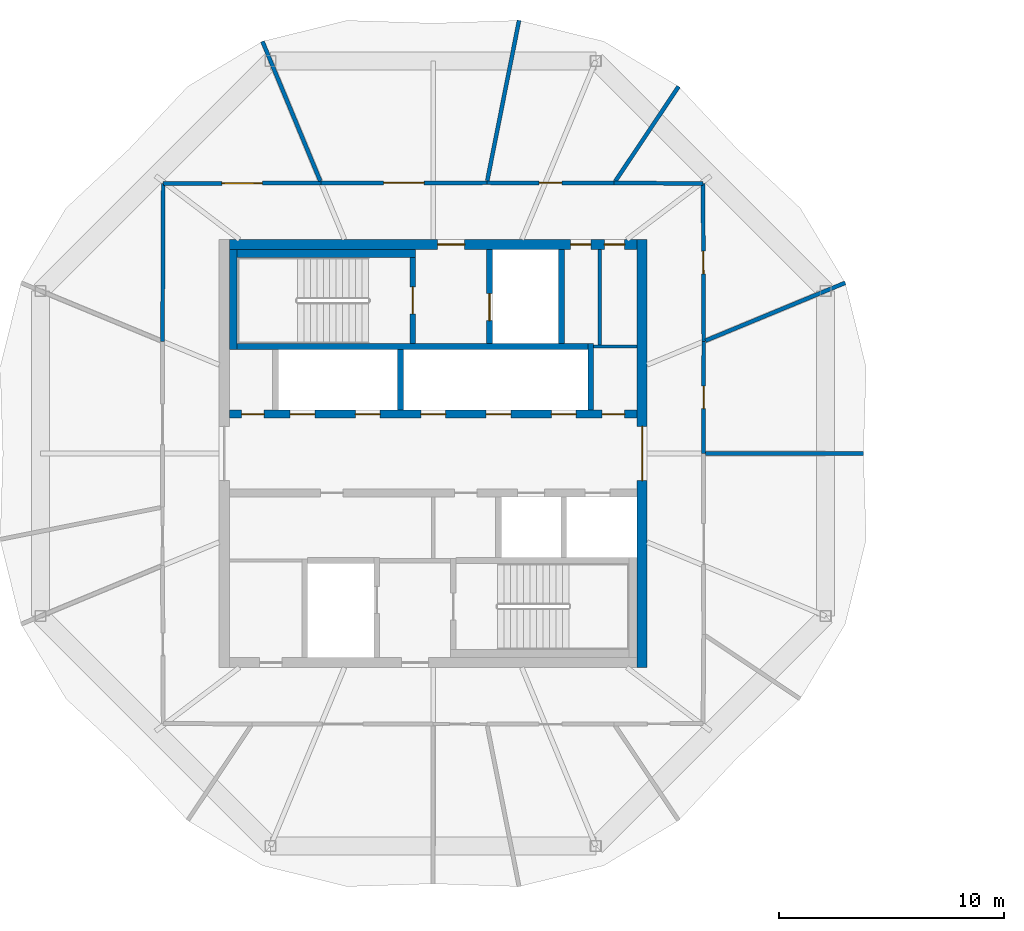
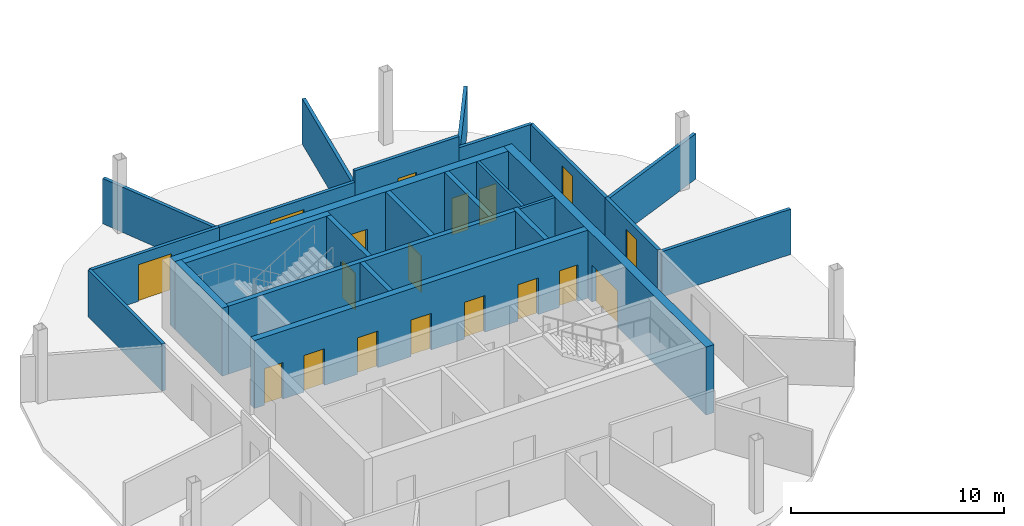
# One storey, part 6 of 10: 25 walls, 18 doors, 18 openings.
"""IFC4 building model written with IfcOpenShell, lengths in metres."""

from ifc_helpers import new_model, si_unit, direction, frame, frame_2d, origin, place, context, subcontext, project, spatial, rectangle, extrude, material, layer, layer_set, type_object, element, fill, save


model = new_model("IFC4")

# Units and contexts
model_context = context("Model", 3, precision=1e-05, world=origin(), true_north=direction((0.0, 1.0)))
body_context = subcontext(model_context, "Body", "Model", "MODEL_VIEW")
ifc_project = project(units=[si_unit("LENGTHUNIT", "METRE"), si_unit("AREAUNIT", "SQUARE_METRE"), si_unit("VOLUMEUNIT", "CUBIC_METRE"), si_unit("PLANEANGLEUNIT", "RADIAN"), si_unit("MASSUNIT", "GRAM", prefix="KILO")], contexts=[model_context])

# Site, building, storey
site_placement = place(None, origin())
site = spatial("IfcSite", under=ifc_project, at=site_placement, CompositionType="ELEMENT")
building_placement = place(site_placement, origin())
building = spatial("IfcBuilding", under=site, at=building_placement, Name="Ogive Gate Towers", CompositionType="ELEMENT")
storey_placement = place(building_placement, frame((0.0, 0.0, 260.39990234375)))
storey = spatial("IfcBuildingStorey", under=building, at=storey_placement, Name="L61", CompositionType="ELEMENT", Elevation=260.39990234375)

# Walls
ifc_material_1 = material(Name="Gypsum board acoustic partition")
ifc_layer_1 = layer(ifc_material_1, 0.175048828125)
ifc_layer_set_1 = layer_set([ifc_layer_1], Name="Acoustic partition 175")
wall_type_1 = type_object("IfcWallType", Name="Acoustic partition 175", PredefinedType="PARTITIONING", material=ifc_layer_set_1)
wall_1_placement = place(storey_placement, frame((-16.90087890625, 0.0, 0.0), z_axis=(0.0, 0.0, 1.0), x_axis=(-1.0, 0.0, 0.0)))
element("IfcWall", 1, at=wall_1_placement, inside=storey, type_object=wall_type_1, Name="Partition T1-L61-001", PredefinedType="PARTITIONING", context=body_context, shape_type="SweptSolid", body=[
    extrude(rectangle(XDim=7.011474609375, YDim=0.175048828125, at=frame_2d((3.505859375, 0.0))), origin(), (0.0, 0.0, 1.0), 2.60009765625),
])
wall_2_placement = place(storey_placement, frame((-17.70703125, 7.5771484375, 0.0), z_axis=(0.0, 0.0, 1.0), x_axis=(-0.923882053966, -0.382677344977, 0.0)))
element("IfcWall", 2, at=wall_2_placement, inside=storey, type_object=wall_type_1, Name="Partition T1-L61-002", PredefinedType="PARTITIONING", context=body_context, shape_type="SweptSolid", body=[
    extrude(rectangle(XDim=6.711669921875, YDim=0.175048828125, at=frame_2d((3.35595703125, 0.0))), origin(), (0.0, 0.0, 1.0), 2.60009765625),
])
wall_3_placement = place(storey_placement, frame((-25.103515625, 16.291259765625, 0.0), z_axis=(0.0, 0.0, 1.0), x_axis=(-0.555968529854, -0.831203340833, 0.0)))
element("IfcWall", 3, at=wall_3_placement, inside=storey, type_object=wall_type_1, Name="Partition T1-L61-003", PredefinedType="PARTITIONING", context=body_context, shape_type="SweptSolid", body=[
    extrude(rectangle(XDim=5.061279296875, YDim=0.175048828125, at=frame_2d((2.53076171875, 0.0))), origin(), (0.0, 0.0, 1.0), 2.60009765625),
])
wall_4_placement = place(storey_placement, frame((-32.185302734375, 19.224609375, 0.0), z_axis=(0.0, 0.0, 1.0), x_axis=(-0.194635269344, -0.980875686276, 0.0)))
element("IfcWall", 4, at=wall_4_placement, inside=storey, type_object=wall_type_1, Name="Partition T1-L61-004", PredefinedType="PARTITIONING", context=body_context, shape_type="SweptSolid", body=[
    extrude(rectangle(XDim=7.261474609375, YDim=0.175048828125, at=frame_2d((3.630859375, 0.0))), origin(), (0.0, 0.0, 1.0), 2.60009765625),
])
wall_5_placement = place(storey_placement, frame((-43.5771484375, 18.29296875, 0.0), z_axis=(0.0, 0.0, 1.0), x_axis=(0.382677344977, -0.923882053966, 0.0)))
element("IfcWall", 5, at=wall_5_placement, inside=storey, type_object=wall_type_1, Name="Partition T1-L61-005", PredefinedType="PARTITIONING", context=body_context, shape_type="SweptSolid", body=[
    extrude(rectangle(XDim=6.711669921875, YDim=0.175048828125, at=frame_2d((3.35595703125, 0.0))), origin(), (0.0, 0.0, 1.0), 2.60009765625),
])

# Wall, opening, door
wall_6_placement = place(storey_placement, frame((-24.0, 0.0, 0.0), z_axis=(0.0, 0.0, 1.0), x_axis=(0.002306289563, 0.999997340511, 0.0)))
wall_6 = element("IfcWall", 6, at=wall_6_placement, inside=storey, type_object=wall_type_1, Name="Partition T1-L61-019", PredefinedType="PARTITIONING", context=body_context, shape_type="SweptSolid", body=[
    extrude(rectangle(XDim=4.975341796875, YDim=0.175048828125, at=frame_2d((2.48779296875, 0.0))), origin(), (0.0, 0.0, 1.0), 2.7001953125),
])
opening_1_placement = place(wall_6_placement, frame((1.988037109375, 0.0, 0.0)))
opening_1 = element("IfcOpeningElement", 7, at=opening_1_placement, cuts=wall_6, Name="Opening T1-L61-D05", PredefinedType="OPENING", context=body_context, shape_type="SweptSolid", body=[
    extrude(rectangle(XDim=1.0, YDim=2.10009765625, at=frame_2d((0.5, 1.050048828125))), frame((0.0, 0.09765625, 0.0), z_axis=(0.0, -1.0, 0.0), x_axis=(1.0, 0.0, 0.0)), (0.0, 0.0, 1.0), 0.195068359375),
])
ifc_material_2 = material(Name="Timber door", Category="wood")
door_type_1 = type_object("IfcDoorType", Name="Door 1000", OperationType="NOTDEFINED", PredefinedType="DOOR", material=ifc_material_2)
door_1_placement = place(opening_1_placement, origin())
door_1 = element("IfcDoor", 8, at=door_1_placement, inside=storey, type_object=door_type_1, Name="Door T1-L61-D05", OperationType="SINGLE_SWING_RIGHT", OverallHeight=2.10009765625, OverallWidth=1.0, PredefinedType="DOOR", context=body_context, shape_type="SweptSolid", body=[
    extrude(rectangle(XDim=1.0, YDim=2.10009765625, at=frame_2d((0.5, 1.050048828125))), frame((0.0, 0.02490234375, 0.0), z_axis=(0.0, -1.0, 0.0), x_axis=(1.0, 0.0, 0.0)), (0.0, 0.0, 1.0), 0.050048828125),
])
fill(opening_1, door_1)

wall_7_placement = place(storey_placement, frame((-23.988525390625, 4.975341796875, 0.0), z_axis=(0.0, 0.0, 1.0), x_axis=(-0.004496138026, 0.99998989232, 0.0)))
wall_7 = element("IfcWall", 9, at=wall_7_placement, inside=storey, type_object=wall_type_1, Name="Partition T1-L61-020", PredefinedType="PARTITIONING", context=body_context, shape_type="SweptSolid", body=[
    extrude(rectangle(XDim=7.004638671875, YDim=0.175048828125, at=frame_2d((3.50244140625, 0.0))), origin(), (0.0, 0.0, 1.0), 2.7001953125),
])
opening_2_placement = place(wall_7_placement, frame((3.001953125, 0.0, 0.0)))
opening_2 = element("IfcOpeningElement", 10, at=opening_2_placement, cuts=wall_7, Name="Opening T1-L61-D06", PredefinedType="OPENING", context=body_context, shape_type="SweptSolid", body=[
    extrude(rectangle(XDim=1.0, YDim=2.10009765625, at=frame_2d((0.5, 1.050048828125))), frame((0.0, 0.09765625, 0.0), z_axis=(0.0, -1.0, 0.0), x_axis=(1.0, 0.0, 0.0)), (0.0, 0.0, 1.0), 0.195068359375),
])
door_2_placement = place(opening_2_placement, origin())
door_2 = element("IfcDoor", 11, at=door_2_placement, inside=storey, type_object=door_type_1, Name="Door T1-L61-D06", OperationType="SINGLE_SWING_LEFT", OverallHeight=2.10009765625, OverallWidth=1.0, PredefinedType="DOOR", context=body_context, shape_type="SweptSolid", body=[
    extrude(rectangle(XDim=1.0, YDim=2.10009765625, at=frame_2d((0.5, 1.050048828125))), frame((0.0, 0.02490234375, 0.0), z_axis=(0.0, -1.0, 0.0), x_axis=(1.0, 0.0, 0.0)), (0.0, 0.0, 1.0), 0.050048828125),
])
fill(opening_2, door_2)

# Wall
wall_8_placement = place(storey_placement, frame((-24.02001953125, 11.97998046875, 0.0), z_axis=(0.0, 0.0, 1.0), x_axis=(-0.999968151812, 0.007980937424, 0.0)))
element("IfcWall", 12, at=wall_8_placement, inside=storey, type_object=wall_type_1, Name="Partition T1-L61-021", PredefinedType="PARTITIONING", context=body_context, shape_type="SweptSolid", body=[
    extrude(rectangle(XDim=3.9462890625, YDim=0.175048828125, at=frame_2d((1.97314453125, 0.0))), origin(), (0.0, 0.0, 1.0), 2.7001953125),
])

# Wall, opening, door
wall_9_placement = place(storey_placement, frame((-27.966064453125, 12.011474609375, 0.0), z_axis=(0.0, 0.0, 1.0), x_axis=(-0.999999626489, 0.000864303912, 0.0)))
wall_9 = element("IfcWall", 13, at=wall_9_placement, inside=storey, type_object=wall_type_1, Name="Partition T1-L61-022", PredefinedType="PARTITIONING", context=body_context, shape_type="SweptSolid", body=[
    extrude(rectangle(XDim=5.6494140625, YDim=0.175048828125, at=frame_2d((2.82470703125, 0.0))), origin(), (0.0, 0.0, 1.0), 3.35009765625),
])
opening_3_placement = place(wall_9_placement, frame((2.324951171875, 0.0, 0.0)))
opening_3 = element("IfcOpeningElement", 14, at=opening_3_placement, cuts=wall_9, Name="Opening T1-L61-D07", PredefinedType="OPENING", context=body_context, shape_type="SweptSolid", body=[
    extrude(rectangle(XDim=1.0, YDim=2.10009765625, at=frame_2d((0.5, 1.050048828125))), frame((0.0, 0.09765625, 0.0), z_axis=(0.0, -1.0, 0.0), x_axis=(1.0, 0.0, 0.0)), (0.0, 0.0, 1.0), 0.195068359375),
])
door_3_placement = place(opening_3_placement, origin())
door_3 = element("IfcDoor", 15, at=door_3_placement, inside=storey, type_object=door_type_1, Name="Door T1-L61-D07", OperationType="SINGLE_SWING_LEFT", OverallHeight=2.10009765625, OverallWidth=1.0, PredefinedType="DOOR", context=body_context, shape_type="SweptSolid", body=[
    extrude(rectangle(XDim=1.0, YDim=2.10009765625, at=frame_2d((0.5, 1.050048828125))), frame((0.0, 0.02490234375, 0.0), z_axis=(0.0, -1.0, 0.0), x_axis=(1.0, 0.0, 0.0)), (0.0, 0.0, 1.0), 0.050048828125),
])
fill(opening_3, door_3)

wall_10_placement = place(storey_placement, frame((-33.615478515625, 12.016357421875, 0.0), z_axis=(0.0, 0.0, 1.0), x_axis=(-0.999999779925, -0.000663437789, 0.0)))
wall_10 = element("IfcWall", 16, at=wall_10_placement, inside=storey, type_object=wall_type_1, Name="Partition T1-L61-023", PredefinedType="PARTITIONING", context=body_context, shape_type="SweptSolid", body=[
    extrude(rectangle(XDim=7.35986328125, YDim=0.175048828125, at=frame_2d((3.679931640625, 0.0))), origin(), (0.0, 0.0, 1.0), 2.7001953125),
])
opening_4_placement = place(wall_10_placement, frame((2.780029296875, 0.0, 0.0)))
opening_4 = element("IfcOpeningElement", 17, at=opening_4_placement, cuts=wall_10, Name="Opening T1-L61-D08", PredefinedType="OPENING", context=body_context, shape_type="SweptSolid", body=[
    extrude(rectangle(XDim=1.800048828125, YDim=2.10009765625, at=frame_2d((0.89990234375, 1.050048828125))), frame((0.0, 0.09765625, 0.0), z_axis=(0.0, -1.0, 0.0), x_axis=(1.0, 0.0, 0.0)), (0.0, 0.0, 1.0), 0.195068359375),
])
door_type_2 = type_object("IfcDoorType", Name="Door pair 1800", OperationType="NOTDEFINED", PredefinedType="DOOR", material=ifc_material_2)
door_4_placement = place(opening_4_placement, origin())
door_4 = element("IfcDoor", 18, at=door_4_placement, inside=storey, type_object=door_type_2, Name="Door T1-L61-D08", OperationType="DOUBLE_DOOR_DOUBLE_SWING", OverallHeight=2.10009765625, OverallWidth=1.800048828125, PredefinedType="DOOR", context=body_context, shape_type="SweptSolid", body=[
    extrude(rectangle(XDim=1.800048828125, YDim=2.10009765625, at=frame_2d((0.89990234375, 1.050048828125))), frame((0.0, 0.02490234375, 0.0), z_axis=(0.0, -1.0, 0.0), x_axis=(1.0, 0.0, 0.0)), (0.0, 0.0, 1.0), 0.050048828125),
])
fill(opening_4, door_4)

wall_11_placement = place(storey_placement, frame((-40.975341796875, 12.011474609375, 0.0), z_axis=(0.0, 0.0, 1.0), x_axis=(-0.99998989232, -0.004496138026, 0.0)))
wall_11 = element("IfcWall", 19, at=wall_11_placement, inside=storey, type_object=wall_type_1, Name="Partition T1-L61-024", PredefinedType="PARTITIONING", context=body_context, shape_type="SweptSolid", body=[
    extrude(rectangle(XDim=7.004638671875, YDim=0.175048828125, at=frame_2d((3.50244140625, 0.0))), origin(), (0.0, 0.0, 1.0), 2.7001953125),
])
opening_5_placement = place(wall_11_placement, frame((2.60205078125, 0.0, 0.0)))
opening_5 = element("IfcOpeningElement", 20, at=opening_5_placement, cuts=wall_11, Name="Opening T1-L61-D09", PredefinedType="OPENING", context=body_context, shape_type="SweptSolid", body=[
    extrude(rectangle(XDim=1.800048828125, YDim=2.10009765625, at=frame_2d((0.89990234375, 1.050048828125))), frame((0.0, 0.09765625, 0.0), z_axis=(0.0, -1.0, 0.0), x_axis=(1.0, 0.0, 0.0)), (0.0, 0.0, 1.0), 0.195068359375),
])
door_5_placement = place(opening_5_placement, origin())
door_5 = element("IfcDoor", 21, at=door_5_placement, inside=storey, type_object=door_type_2, Name="Door T1-L61-D09", OperationType="DOUBLE_DOOR_DOUBLE_SWING", OverallHeight=2.10009765625, OverallWidth=1.800048828125, PredefinedType="DOOR", context=body_context, shape_type="SweptSolid", body=[
    extrude(rectangle(XDim=1.800048828125, YDim=2.10009765625, at=frame_2d((0.89990234375, 1.050048828125))), frame((0.0, 0.02490234375, 0.0), z_axis=(0.0, -1.0, 0.0), x_axis=(1.0, 0.0, 0.0)), (0.0, 0.0, 1.0), 0.050048828125),
])
fill(opening_5, door_5)

# Wall
wall_12_placement = place(storey_placement, frame((-47.97998046875, 11.97998046875, 0.0), z_axis=(0.0, 0.0, 1.0), x_axis=(-0.004496138026, -0.99998989232, 0.0)))
element("IfcWall", 22, at=wall_12_placement, inside=storey, type_object=wall_type_1, Name="Partition T1-L61-025", PredefinedType="PARTITIONING", context=body_context, shape_type="SweptSolid", body=[
    extrude(rectangle(XDim=7.004638671875, YDim=0.175048828125, at=frame_2d((3.50244140625, 0.0))), origin(), (0.0, 0.0, 1.0), 2.7001953125),
])

# Wall, openings, doors
ifc_material_3 = material(Name="Concrete C60/75", Category="concrete")
ifc_layer_2 = layer(ifc_material_3, 0.449951171875)
ifc_layer_set_2 = layer_set([ifc_layer_2], Name="Core wall 450 mm")
wall_type_2 = type_object("IfcWallType", Name="Core wall 450 mm", PredefinedType="SHEAR", material=ifc_layer_set_2)
wall_13_placement = place(storey_placement, frame((-45.050048828125, 9.27490234375, 0.0), z_axis=(0.0, 0.0, 1.0), x_axis=(1.0, 0.0, 0.0)))
wall_13 = element("IfcWall", 23, at=wall_13_placement, inside=storey, type_object=wall_type_2, Name="T1 L61 Core wall 450 mm", PredefinedType="SHEAR", context=body_context, shape_type="SweptSolid", body=[
    extrude(rectangle(XDim=18.10009765625, YDim=0.449951171875, at=frame_2d((9.050048828125, 0.0))), origin(), (0.0, 0.0, 1.0), 3.900146484375),
])
opening_6_placement = place(wall_13_placement, frame((9.25, 0.0, 0.0)))
opening_6 = element("IfcOpeningElement", 24, at=opening_6_placement, cuts=wall_13, Name="Opening KD-T1-L61-18", PredefinedType="OPENING", context=body_context, shape_type="SweptSolid", body=[
    extrude(rectangle(XDim=1.199951171875, YDim=2.10009765625, at=frame_2d((0.60009765625, 1.050048828125))), frame((0.0, 0.23486328125, 0.0), z_axis=(0.0, -1.0, 0.0), x_axis=(1.0, 0.0, 0.0)), (0.0, 0.0, 1.0), 0.469970703125),
])
opening_7_placement = place(wall_13_placement, frame((15.14990234375, 0.0, 0.0)))
opening_7 = element("IfcOpeningElement", 25, at=opening_7_placement, cuts=wall_13, Name="Opening KD-T1-L61-20", PredefinedType="OPENING", context=body_context, shape_type="SweptSolid", body=[
    extrude(rectangle(XDim=0.89990234375, YDim=2.10009765625, at=frame_2d((0.449951171875, 1.050048828125))), frame((0.0, 0.23486328125, 0.0), z_axis=(0.0, -1.0, 0.0), x_axis=(1.0, 0.0, 0.0)), (0.0, 0.0, 1.0), 0.469970703125),
])
opening_8_placement = place(wall_13_placement, frame((16.64990234375, 0.0, 0.0)))
opening_8 = element("IfcOpeningElement", 26, at=opening_8_placement, cuts=wall_13, Name="Opening KD-T1-L61-21", PredefinedType="OPENING", context=body_context, shape_type="SweptSolid", body=[
    extrude(rectangle(XDim=0.89990234375, YDim=2.10009765625, at=frame_2d((0.449951171875, 1.050048828125))), frame((0.0, 0.23486328125, 0.0), z_axis=(0.0, -1.0, 0.0), x_axis=(1.0, 0.0, 0.0)), (0.0, 0.0, 1.0), 0.469970703125),
])
door_type_3 = type_object("IfcDoorType", Name="Core WC door 900 x 2100", OperationType="NOTDEFINED", PredefinedType="DOOR", material=ifc_material_2)
door_6_placement = place(opening_7_placement, origin())
door_6 = element("IfcDoor", 27, at=door_6_placement, inside=storey, type_object=door_type_3, Name="T1 L61 Core door", OperationType="SINGLE_SWING_LEFT", OverallHeight=2.10009765625, OverallWidth=0.89990234375, PredefinedType="DOOR", context=body_context, shape_type="SweptSolid", body=[
    extrude(rectangle(XDim=0.89990234375, YDim=2.10009765625, at=frame_2d((0.449951171875, 1.050048828125))), frame((0.0, 0.02490234375, 0.0), z_axis=(0.0, -1.0, 0.0), x_axis=(1.0, 0.0, 0.0)), (0.0, 0.0, 1.0), 0.050048828125),
])
fill(opening_7, door_6)
door_7_placement = place(opening_8_placement, origin())
door_7 = element("IfcDoor", 28, at=door_7_placement, inside=storey, type_object=door_type_3, Name="T1 L61 Core door", OperationType="SINGLE_SWING_RIGHT", OverallHeight=2.10009765625, OverallWidth=0.89990234375, PredefinedType="DOOR", context=body_context, shape_type="SweptSolid", body=[
    extrude(rectangle(XDim=0.89990234375, YDim=2.10009765625, at=frame_2d((0.449951171875, 1.050048828125))), frame((0.0, 0.02490234375, 0.0), z_axis=(0.0, -1.0, 0.0), x_axis=(1.0, 0.0, 0.0)), (0.0, 0.0, 1.0), 0.050048828125),
])
fill(opening_8, door_7)
ifc_material_4 = material(Name="Steel fire door", Category="steel")
door_type_4 = type_object("IfcDoorType", Name="Core door FD60S 1200 x 2100", OperationType="NOTDEFINED", PredefinedType="DOOR", material=ifc_material_4)
door_8_placement = place(opening_6_placement, origin())
door_8 = element("IfcDoor", 29, at=door_8_placement, inside=storey, type_object=door_type_4, Name="T1 L61 Fire-fighting lobby door", OperationType="SINGLE_SWING_LEFT", OverallHeight=2.10009765625, OverallWidth=1.199951171875, PredefinedType="DOOR", context=body_context, shape_type="SweptSolid", body=[
    extrude(rectangle(XDim=1.199951171875, YDim=2.10009765625, at=frame_2d((0.60009765625, 1.050048828125))), frame((0.0, 0.02490234375, 0.0), z_axis=(0.0, -1.0, 0.0), x_axis=(1.0, 0.0, 0.0)), (0.0, 0.0, 1.0), 0.050048828125),
])
fill(opening_6, door_8)

# Wall, opening, door
wall_14_placement = place(storey_placement, frame((-26.72509765625, -9.5, 0.0), z_axis=(0.0, 0.0, 1.0), x_axis=(0.0, 1.0, 0.0)))
wall_14 = element("IfcWall", 30, at=wall_14_placement, inside=storey, type_object=wall_type_2, Name="T1 L61 Core wall 450 mm", PredefinedType="SHEAR", context=body_context, shape_type="SweptSolid", body=[
    extrude(rectangle(XDim=19.0, YDim=0.449951171875, at=frame_2d((9.5, 0.0))), origin(), (0.0, 0.0, 1.0), 3.900146484375),
])
opening_9_placement = place(wall_14_placement, frame((8.300048828125, 0.0, 0.0)))
opening_9 = element("IfcOpeningElement", 31, at=opening_9_placement, cuts=wall_14, Name="Opening KD-T1-L61-02", PredefinedType="OPENING", context=body_context, shape_type="SweptSolid", body=[
    extrude(rectangle(XDim=2.39990234375, YDim=2.10009765625, at=frame_2d((1.199951171875, 1.050048828125))), frame((0.0, 0.23486328125, 0.0), z_axis=(0.0, -1.0, 0.0), x_axis=(1.0, 0.0, 0.0)), (0.0, 0.0, 1.0), 0.469970703125),
])
door_type_5 = type_object("IfcDoorType", Name="Core double door FD60S 2400 x 2100", OperationType="DOUBLE_DOOR_SINGLE_SWING", PredefinedType="DOOR", material=ifc_material_4)
door_9_placement = place(opening_9_placement, origin())
door_9 = element("IfcDoor", 32, at=door_9_placement, inside=storey, type_object=door_type_5, Name="T1 L61 Core door double", OperationType="DOUBLE_DOOR_SINGLE_SWING", OverallHeight=2.10009765625, OverallWidth=2.39990234375, PredefinedType="DOOR", context=body_context, shape_type="SweptSolid", body=[
    extrude(rectangle(XDim=2.39990234375, YDim=2.10009765625, at=frame_2d((1.199951171875, 1.050048828125))), frame((0.0, 0.02490234375, 0.0), z_axis=(0.0, -1.0, 0.0), x_axis=(1.0, 0.0, 0.0)), (0.0, 0.0, 1.0), 0.050048828125),
])
fill(opening_9, door_9)

# Walls
ifc_material_5 = material(Name="Gypsum board partition")
ifc_layer_3 = layer(ifc_material_5, 0.14990234375)
ifc_layer_set_3 = layer_set([ifc_layer_3], Name="Room partition 150 mm")
wall_type_3 = type_object("IfcWallType", Name="Room partition 150 mm", PredefinedType="PARTITIONING", material=ifc_layer_set_3)
wall_15_placement = place(storey_placement, frame((-28.875, 4.75, 0.0), z_axis=(0.0, 0.0, 1.0), x_axis=(1.0, 0.0, 0.0)))
element("IfcWall", 33, at=wall_15_placement, inside=storey, type_object=wall_type_3, Name="T1 L61 Room partition 150 mm", PredefinedType="PARTITIONING", context=body_context, shape_type="SweptSolid", body=[
    extrude(rectangle(XDim=1.925048828125, YDim=0.14990234375, at=frame_2d((0.96240234375, 0.0))), origin(), (0.0, 0.0, 1.0), 3.900146484375),
])
wall_16_placement = place(storey_placement, frame((-28.60009765625, 4.824951171875, 0.0), z_axis=(0.0, 0.0, 1.0), x_axis=(0.0, 1.0, 0.0)))
element("IfcWall", 34, at=wall_16_placement, inside=storey, type_object=wall_type_3, Name="T1 L61 Room partition 150 mm", PredefinedType="PARTITIONING", context=body_context, shape_type="SweptSolid", body=[
    extrude(rectangle(XDim=4.22509765625, YDim=0.14990234375, at=frame_2d((2.112548828125, 0.0))), origin(), (0.0, 0.0, 1.0), 3.900146484375),
])
ifc_layer_4 = layer(ifc_material_3, 0.25)
ifc_layer_set_4 = layer_set([ifc_layer_4], Name="Shaft wall 250 mm")
wall_type_4 = type_object("IfcWallType", Name="Shaft wall 250 mm", PredefinedType="SHEAR", material=ifc_layer_set_4)
wall_17_placement = place(storey_placement, frame((-44.699951171875, 4.75, 0.0), z_axis=(0.0, 0.0, 1.0), x_axis=(1.0, 0.0, 0.0)))
element("IfcWall", 35, at=wall_17_placement, inside=storey, type_object=wall_type_4, Name="T1 L61 Shaft wall 250 mm", PredefinedType="SHEAR", context=body_context, shape_type="SweptSolid", body=[
    extrude(rectangle(XDim=15.574951171875, YDim=0.25, at=frame_2d((7.78759765625, 0.0))), origin(), (0.0, 0.0, 1.0), 3.900146484375),
])
wall_18_placement = place(storey_placement, frame((-37.449951171875, 1.925048828125, 0.0), z_axis=(0.0, 0.0, 1.0), x_axis=(0.0, 1.0, 0.0)))
element("IfcWall", 36, at=wall_18_placement, inside=storey, type_object=wall_type_4, Name="T1 L61 Shaft wall 250 mm", PredefinedType="SHEAR", context=body_context, shape_type="SweptSolid", body=[
    extrude(rectangle(XDim=2.699951171875, YDim=0.25, at=frame_2d((1.35009765625, 0.0))), origin(), (0.0, 0.0, 1.0), 3.900146484375),
])

# Wall, opening, door
wall_19_placement = place(storey_placement, frame((-36.89990234375, 4.875, 0.0), z_axis=(0.0, 0.0, 1.0), x_axis=(0.0, 1.0, 0.0)))
wall_19 = element("IfcWall", 37, at=wall_19_placement, inside=storey, type_object=wall_type_4, Name="T1 L61 Shaft wall 250 mm", PredefinedType="SHEAR", context=body_context, shape_type="SweptSolid", body=[
    extrude(rectangle(XDim=3.824951171875, YDim=0.25, at=frame_2d((1.91259765625, 0.0))), origin(), (0.0, 0.0, 1.0), 3.900146484375),
])
opening_10_placement = place(wall_19_placement, frame((1.324951171875, 0.0, 0.0)))
opening_10 = element("IfcOpeningElement", 38, at=opening_10_placement, cuts=wall_19, Name="Opening KD-T1-L61-16", PredefinedType="OPENING", context=body_context, shape_type="SweptSolid", body=[
    extrude(rectangle(XDim=1.199951171875, YDim=2.10009765625, at=frame_2d((0.60009765625, 1.050048828125))), frame((0.0, 0.135009765625, 0.0), z_axis=(0.0, -1.0, 0.0), x_axis=(1.0, 0.0, 0.0)), (0.0, 0.0, 1.0), 0.27001953125),
])
door_10_placement = place(opening_10_placement, origin())
door_10 = element("IfcDoor", 39, at=door_10_placement, inside=storey, type_object=door_type_4, Name="T1 L61 Stair door", OperationType="SINGLE_SWING_LEFT", OverallHeight=2.10009765625, OverallWidth=1.199951171875, PredefinedType="DOOR", context=body_context, shape_type="SweptSolid", body=[
    extrude(rectangle(XDim=1.199951171875, YDim=2.10009765625, at=frame_2d((0.60009765625, 1.050048828125))), frame((0.0, 0.02490234375, 0.0), z_axis=(0.0, -1.0, 0.0), x_axis=(1.0, 0.0, 0.0)), (0.0, 0.0, 1.0), 0.050048828125),
])
fill(opening_10, door_10)

wall_20_placement = place(storey_placement, frame((-33.5, 4.875, 0.0), z_axis=(0.0, 0.0, 1.0), x_axis=(0.0, 1.0, 0.0)))
wall_20 = element("IfcWall", 40, at=wall_20_placement, inside=storey, type_object=wall_type_4, Name="T1 L61 Shaft wall 250 mm", PredefinedType="SHEAR", context=body_context, shape_type="SweptSolid", body=[
    extrude(rectangle(XDim=4.175048828125, YDim=0.25, at=frame_2d((2.08740234375, 0.0))), origin(), (0.0, 0.0, 1.0), 3.900146484375),
])
opening_11_placement = place(wall_20_placement, frame((1.02490234375, 0.0, 0.0)))
opening_11 = element("IfcOpeningElement", 41, at=opening_11_placement, cuts=wall_20, Name="Opening LD-T1-L61-12", PredefinedType="OPENING", context=body_context, shape_type="SweptSolid", body=[
    extrude(rectangle(XDim=1.199951171875, YDim=2.10009765625, at=frame_2d((0.60009765625, 1.050048828125))), frame((0.0, 0.135009765625, 0.0), z_axis=(0.0, -1.0, 0.0), x_axis=(1.0, 0.0, 0.0)), (0.0, 0.0, 1.0), 0.27001953125),
])
ifc_material_6 = material(Name="Stainless steel landing door", Category="steel")
door_type_6 = type_object("IfcDoorType", Name="Landing door 1200 x 2100", OperationType="SLIDING_TO_LEFT", PredefinedType="DOOR", material=ifc_material_6)
door_11_placement = place(opening_11_placement, origin())
door_11 = element("IfcDoor", 42, at=door_11_placement, inside=storey, type_object=door_type_6, Name="T1 L61 Lift landing door FF1", OperationType="SLIDING_TO_LEFT", OverallHeight=2.10009765625, OverallWidth=1.199951171875, PredefinedType="DOOR", context=body_context, shape_type="SweptSolid", body=[
    extrude(rectangle(XDim=1.199951171875, YDim=2.10009765625, at=frame_2d((0.60009765625, 1.050048828125))), frame((0.0, 0.02490234375, 0.0), z_axis=(0.0, -1.0, 0.0), x_axis=(1.0, 0.0, 0.0)), (0.0, 0.0, 1.0), 0.050048828125),
])
fill(opening_11, door_11)

# Walls
wall_21_placement = place(storey_placement, frame((-30.300048828125, 4.875, 0.0), z_axis=(0.0, 0.0, 1.0), x_axis=(0.0, 1.0, 0.0)))
element("IfcWall", 43, at=wall_21_placement, inside=storey, type_object=wall_type_4, Name="T1 L61 Shaft wall 250 mm", PredefinedType="SHEAR", context=body_context, shape_type="SweptSolid", body=[
    extrude(rectangle(XDim=4.175048828125, YDim=0.25, at=frame_2d((2.08740234375, 0.0))), origin(), (0.0, 0.0, 1.0), 3.900146484375),
])
wall_22_placement = place(storey_placement, frame((-29.0, 1.925048828125, 0.0), z_axis=(0.0, 0.0, 1.0), x_axis=(0.0, 1.0, 0.0)))
element("IfcWall", 44, at=wall_22_placement, inside=storey, type_object=wall_type_4, Name="T1 L61 Shaft wall 250 mm", PredefinedType="SHEAR", context=body_context, shape_type="SweptSolid", body=[
    extrude(rectangle(XDim=2.949951171875, YDim=0.25, at=frame_2d((1.47509765625, 0.0))), origin(), (0.0, 0.0, 1.0), 3.900146484375),
])

# Wall, openings, doors
ifc_layer_5 = layer(ifc_material_3, 0.35009765625)
ifc_layer_set_5 = layer_set([ifc_layer_5], Name="Spine wall 350 mm")
wall_type_5 = type_object("IfcWallType", Name="Spine wall 350 mm", PredefinedType="SHEAR", material=ifc_layer_set_5)
wall_23_placement = place(storey_placement, frame((-45.050048828125, 1.75, 0.0), z_axis=(0.0, 0.0, 1.0), x_axis=(1.0, 0.0, 0.0)))
wall_23 = element("IfcWall", 45, at=wall_23_placement, inside=storey, type_object=wall_type_5, Name="T1 L61 Spine wall 350 mm", PredefinedType="SHEAR", context=body_context, shape_type="SweptSolid", body=[
    extrude(rectangle(XDim=18.10009765625, YDim=0.35009765625, at=frame_2d((9.050048828125, 0.0))), origin(), (0.0, 0.0, 1.0), 3.900146484375),
])
opening_12_placement = place(wall_23_placement, frame((0.550048828125, 0.0, 0.0)))
opening_12 = element("IfcOpeningElement", 46, at=opening_12_placement, cuts=wall_23, Name="Opening KD-T1-L61-03", PredefinedType="OPENING", context=body_context, shape_type="SweptSolid", body=[
    extrude(rectangle(XDim=1.0, YDim=2.10009765625, at=frame_2d((0.5, 1.050048828125))), frame((0.0, 0.18505859375, 0.0), z_axis=(0.0, -1.0, 0.0), x_axis=(1.0, 0.0, 0.0)), (0.0, 0.0, 1.0), 0.3701171875),
])
opening_13_placement = place(wall_23_placement, frame((2.699951171875, 0.0, 0.0)))
opening_13 = element("IfcOpeningElement", 47, at=opening_13_placement, cuts=wall_23, Name="Opening LD-T1-L61-04", PredefinedType="OPENING", context=body_context, shape_type="SweptSolid", body=[
    extrude(rectangle(XDim=1.10009765625, YDim=2.10009765625, at=frame_2d((0.550048828125, 1.050048828125))), frame((0.0, 0.18505859375, 0.0), z_axis=(0.0, -1.0, 0.0), x_axis=(1.0, 0.0, 0.0)), (0.0, 0.0, 1.0), 0.3701171875),
])
opening_14_placement = place(wall_23_placement, frame((5.60009765625, 0.0, 0.0)))
opening_14 = element("IfcOpeningElement", 48, at=opening_14_placement, cuts=wall_23, Name="Opening LD-T1-L61-05", PredefinedType="OPENING", context=body_context, shape_type="SweptSolid", body=[
    extrude(rectangle(XDim=1.10009765625, YDim=2.10009765625, at=frame_2d((0.550048828125, 1.050048828125))), frame((0.0, 0.18505859375, 0.0), z_axis=(0.0, -1.0, 0.0), x_axis=(1.0, 0.0, 0.0)), (0.0, 0.0, 1.0), 0.3701171875),
])
opening_15_placement = place(wall_23_placement, frame((8.5, 0.0, 0.0)))
opening_15 = element("IfcOpeningElement", 49, at=opening_15_placement, cuts=wall_23, Name="Opening LD-T1-L61-06", PredefinedType="OPENING", context=body_context, shape_type="SweptSolid", body=[
    extrude(rectangle(XDim=1.10009765625, YDim=2.10009765625, at=frame_2d((0.550048828125, 1.050048828125))), frame((0.0, 0.18505859375, 0.0), z_axis=(0.0, -1.0, 0.0), x_axis=(1.0, 0.0, 0.0)), (0.0, 0.0, 1.0), 0.3701171875),
])
opening_16_placement = place(wall_23_placement, frame((11.39990234375, 0.0, 0.0)))
opening_16 = element("IfcOpeningElement", 50, at=opening_16_placement, cuts=wall_23, Name="Opening LD-T1-L61-07", PredefinedType="OPENING", context=body_context, shape_type="SweptSolid", body=[
    extrude(rectangle(XDim=1.10009765625, YDim=2.10009765625, at=frame_2d((0.550048828125, 1.050048828125))), frame((0.0, 0.18505859375, 0.0), z_axis=(0.0, -1.0, 0.0), x_axis=(1.0, 0.0, 0.0)), (0.0, 0.0, 1.0), 0.3701171875),
])
opening_17_placement = place(wall_23_placement, frame((14.300048828125, 0.0, 0.0)))
opening_17 = element("IfcOpeningElement", 51, at=opening_17_placement, cuts=wall_23, Name="Opening LD-T1-L61-08", PredefinedType="OPENING", context=body_context, shape_type="SweptSolid", body=[
    extrude(rectangle(XDim=1.10009765625, YDim=2.10009765625, at=frame_2d((0.550048828125, 1.050048828125))), frame((0.0, 0.18505859375, 0.0), z_axis=(0.0, -1.0, 0.0), x_axis=(1.0, 0.0, 0.0)), (0.0, 0.0, 1.0), 0.3701171875),
])
opening_18_placement = place(wall_23_placement, frame((16.550048828125, 0.0, 0.0)))
opening_18 = element("IfcOpeningElement", 52, at=opening_18_placement, cuts=wall_23, Name="Opening KD-T1-L61-09", PredefinedType="OPENING", context=body_context, shape_type="SweptSolid", body=[
    extrude(rectangle(XDim=1.0, YDim=2.10009765625, at=frame_2d((0.5, 1.050048828125))), frame((0.0, 0.18505859375, 0.0), z_axis=(0.0, -1.0, 0.0), x_axis=(1.0, 0.0, 0.0)), (0.0, 0.0, 1.0), 0.3701171875),
])
door_type_7 = type_object("IfcDoorType", Name="Core door FD60S 1000 x 2100", OperationType="NOTDEFINED", PredefinedType="DOOR", material=ifc_material_4)
door_12_placement = place(opening_12_placement, origin())
door_12 = element("IfcDoor", 53, at=door_12_placement, inside=storey, type_object=door_type_7, Name="T1 L61 Core door", OperationType="SINGLE_SWING_RIGHT", OverallHeight=2.10009765625, OverallWidth=1.0, PredefinedType="DOOR", context=body_context, shape_type="SweptSolid", body=[
    extrude(rectangle(XDim=1.0, YDim=2.10009765625, at=frame_2d((0.5, 1.050048828125))), frame((0.0, 0.02490234375, 0.0), z_axis=(0.0, -1.0, 0.0), x_axis=(1.0, 0.0, 0.0)), (0.0, 0.0, 1.0), 0.050048828125),
])
fill(opening_12, door_12)
door_13_placement = place(opening_18_placement, origin())
door_13 = element("IfcDoor", 54, at=door_13_placement, inside=storey, type_object=door_type_7, Name="T1 L61 Core door", OperationType="SINGLE_SWING_RIGHT", OverallHeight=2.10009765625, OverallWidth=1.0, PredefinedType="DOOR", context=body_context, shape_type="SweptSolid", body=[
    extrude(rectangle(XDim=1.0, YDim=2.10009765625, at=frame_2d((0.5, 1.050048828125))), frame((0.0, 0.02490234375, 0.0), z_axis=(0.0, -1.0, 0.0), x_axis=(1.0, 0.0, 0.0)), (0.0, 0.0, 1.0), 0.050048828125),
])
fill(opening_18, door_13)
door_type_8 = type_object("IfcDoorType", Name="Landing door 1100 x 2100", OperationType="SLIDING_TO_LEFT", PredefinedType="DOOR", material=ifc_material_6)
door_14_placement = place(opening_13_placement, origin())
door_14 = element("IfcDoor", 55, at=door_14_placement, inside=storey, type_object=door_type_8, Name="T1 L61 Lift landing door B1", OperationType="SLIDING_TO_LEFT", OverallHeight=2.10009765625, OverallWidth=1.10009765625, PredefinedType="DOOR", context=body_context, shape_type="SweptSolid", body=[
    extrude(rectangle(XDim=1.10009765625, YDim=2.10009765625, at=frame_2d((0.550048828125, 1.050048828125))), frame((0.0, 0.02490234375, 0.0), z_axis=(0.0, -1.0, 0.0), x_axis=(1.0, 0.0, 0.0)), (0.0, 0.0, 1.0), 0.050048828125),
])
fill(opening_13, door_14)
door_15_placement = place(opening_14_placement, origin())
door_15 = element("IfcDoor", 56, at=door_15_placement, inside=storey, type_object=door_type_8, Name="T1 L61 Lift landing door B2", OperationType="SLIDING_TO_LEFT", OverallHeight=2.10009765625, OverallWidth=1.10009765625, PredefinedType="DOOR", context=body_context, shape_type="SweptSolid", body=[
    extrude(rectangle(XDim=1.10009765625, YDim=2.10009765625, at=frame_2d((0.550048828125, 1.050048828125))), frame((0.0, 0.02490234375, 0.0), z_axis=(0.0, -1.0, 0.0), x_axis=(1.0, 0.0, 0.0)), (0.0, 0.0, 1.0), 0.050048828125),
])
fill(opening_14, door_15)
door_16_placement = place(opening_15_placement, origin())
door_16 = element("IfcDoor", 57, at=door_16_placement, inside=storey, type_object=door_type_8, Name="T1 L61 Lift landing door B3", OperationType="SLIDING_TO_LEFT", OverallHeight=2.10009765625, OverallWidth=1.10009765625, PredefinedType="DOOR", context=body_context, shape_type="SweptSolid", body=[
    extrude(rectangle(XDim=1.10009765625, YDim=2.10009765625, at=frame_2d((0.550048828125, 1.050048828125))), frame((0.0, 0.02490234375, 0.0), z_axis=(0.0, -1.0, 0.0), x_axis=(1.0, 0.0, 0.0)), (0.0, 0.0, 1.0), 0.050048828125),
])
fill(opening_15, door_16)
door_17_placement = place(opening_16_placement, origin())
door_17 = element("IfcDoor", 58, at=door_17_placement, inside=storey, type_object=door_type_8, Name="T1 L61 Lift landing door B4", OperationType="SLIDING_TO_LEFT", OverallHeight=2.10009765625, OverallWidth=1.10009765625, PredefinedType="DOOR", context=body_context, shape_type="SweptSolid", body=[
    extrude(rectangle(XDim=1.10009765625, YDim=2.10009765625, at=frame_2d((0.550048828125, 1.050048828125))), frame((0.0, 0.02490234375, 0.0), z_axis=(0.0, -1.0, 0.0), x_axis=(1.0, 0.0, 0.0)), (0.0, 0.0, 1.0), 0.050048828125),
])
fill(opening_16, door_17)
door_18_placement = place(opening_17_placement, origin())
door_18 = element("IfcDoor", 59, at=door_18_placement, inside=storey, type_object=door_type_8, Name="T1 L61 Lift landing door B5", OperationType="SLIDING_TO_LEFT", OverallHeight=2.10009765625, OverallWidth=1.10009765625, PredefinedType="DOOR", context=body_context, shape_type="SweptSolid", body=[
    extrude(rectangle(XDim=1.10009765625, YDim=2.10009765625, at=frame_2d((0.550048828125, 1.050048828125))), frame((0.0, 0.02490234375, 0.0), z_axis=(0.0, -1.0, 0.0), x_axis=(1.0, 0.0, 0.0)), (0.0, 0.0, 1.0), 0.050048828125),
])
fill(opening_17, door_18)

# Walls
ifc_layer_6 = layer(ifc_material_3, 0.35009765625)
ifc_layer_set_6 = layer_set([ifc_layer_6], Name="Stair wall 350 mm")
wall_type_6 = type_object("IfcWallType", Name="Stair wall 350 mm", PredefinedType="SHEAR", material=ifc_layer_set_6)
wall_24_placement = place(storey_placement, frame((-44.699951171875, 8.875, 0.0), z_axis=(0.0, 0.0, 1.0), x_axis=(1.0, 0.0, 0.0)))
element("IfcWall", 60, at=wall_24_placement, inside=storey, type_object=wall_type_6, Name="T1 L61 Stair wall 350 mm", PredefinedType="SHEAR", context=body_context, shape_type="SweptSolid", body=[
    extrude(rectangle(XDim=7.925048828125, YDim=0.35009765625, at=frame_2d((3.96240234375, 0.0))), origin(), (0.0, 0.0, 1.0), 3.900146484375),
])
wall_25_placement = place(storey_placement, frame((-44.875, 4.625, 0.0), z_axis=(0.0, 0.0, 1.0), x_axis=(0.0, 1.0, 0.0)))
element("IfcWall", 61, at=wall_25_placement, inside=storey, type_object=wall_type_6, Name="T1 L61 Stair wall 350 mm", PredefinedType="SHEAR", context=body_context, shape_type="SweptSolid", body=[
    extrude(rectangle(XDim=4.425048828125, YDim=0.35009765625, at=frame_2d((2.21240234375, 0.0))), origin(), (0.0, 0.0, 1.0), 3.900146484375),
])

save(model, "model.ifc")
